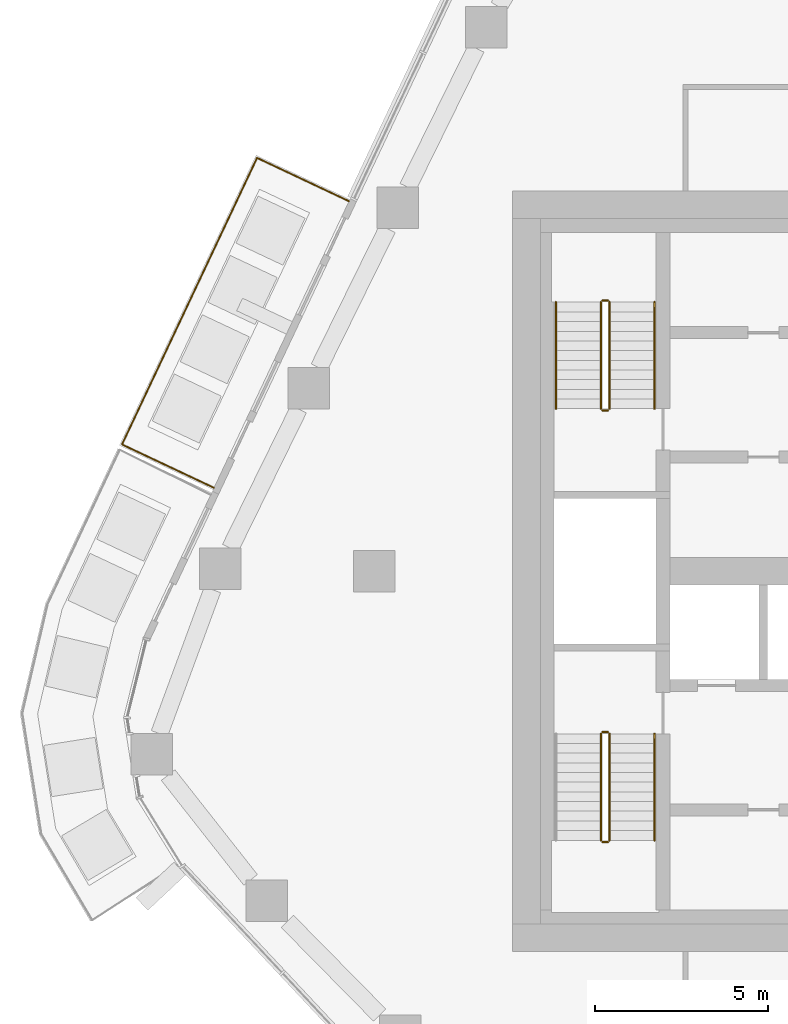
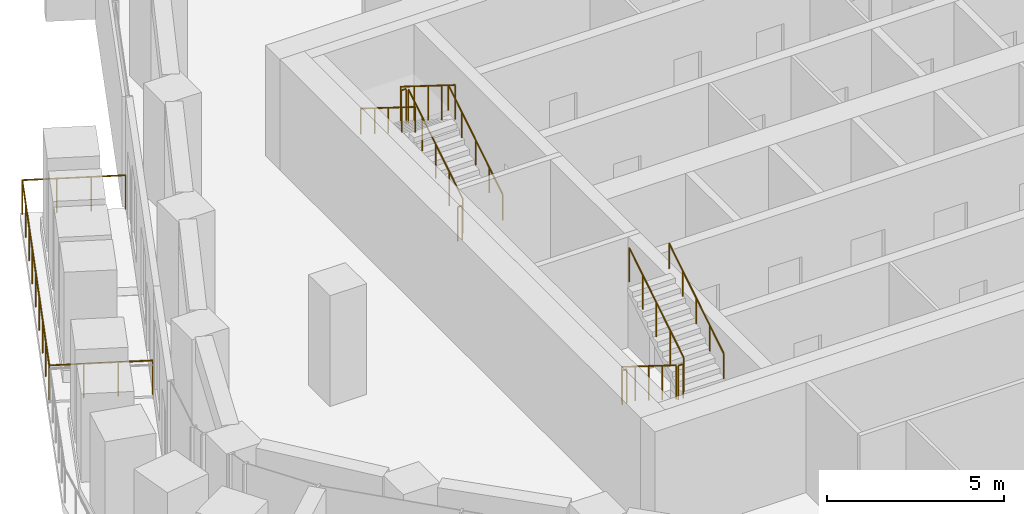
# One storey, part 16 of 18: 12 railings.
"""IFC4 building model written with IfcOpenShell, lengths in metres."""

from ifc_helpers import new_model, si_unit, direction, frame, origin, origin_2d, place, context, subcontext, project, spatial, circle, extrude, material, type_object, element, save


model = new_model("IFC4")

# Units and contexts
model_context = context("Model", 3, precision=1e-05, world=origin(), true_north=direction((0.0, 1.0)))
body_context = subcontext(model_context, "Body", "Model", "MODEL_VIEW")
ifc_project = project(units=[si_unit("LENGTHUNIT", "METRE"), si_unit("AREAUNIT", "SQUARE_METRE"), si_unit("VOLUMEUNIT", "CUBIC_METRE"), si_unit("PLANEANGLEUNIT", "RADIAN"), si_unit("MASSUNIT", "GRAM", prefix="KILO")], contexts=[model_context])

# Site, building, storey
site_placement = place(None, origin())
site = spatial("IfcSite", under=ifc_project, at=site_placement, CompositionType="ELEMENT")
building_placement = place(site_placement, origin())
building = spatial("IfcBuilding", under=site, at=building_placement, Name="Dongbaek Canopy Tower", CompositionType="ELEMENT")
storey_placement = place(building_placement, frame((0.0, 0.0, 158.60009765625)))
storey = spatial("IfcBuildingStorey", under=building, at=storey_placement, Name="L34", CompositionType="ELEMENT", Elevation=158.60009765625)

# Railings
ifc_material_1 = material(Name="Stainless steel", Category="steel")
railing_type_1 = type_object("IfcRailingType", Name="Balcony balustrade 1200", PredefinedType="BALUSTRADE", material=ifc_material_1)
railing_1_placement = place(storey_placement, frame((-18.732666015625, 10.700439453125, 0.0)))
element("IfcRailing", 1, at=railing_1_placement, inside=storey, type_object=railing_type_1, Name="Balcony guard L34 1", PredefinedType="BALUSTRADE", context=body_context, shape_type="SweptSolid", body=[
    extrude(circle(Radius=0.02392578125, at=origin_2d()), frame((0.0, 0.0, 1.17578125), z_axis=(-0.90463040543, 0.426196937544, 0.0), x_axis=(-0.426196937544, -0.90463040543, 0.0)), (0.0, 0.0, 1.0), 2.939697265625),
    extrude(circle(Radius=0.02392578125, at=origin_2d()), frame((-2.659423828125, 1.2529296875, 1.17578125), z_axis=(-0.426229519142, -0.904615054602, 0.0), x_axis=(0.904615054602, -0.426229519142, 0.0)), (0.0, 0.0, 1.0), 9.16064453125),
    extrude(circle(Radius=0.02392578125, at=origin_2d()), frame((-6.56396484375, -7.033935546875, 1.17578125), z_axis=(0.904613472743, -0.426232876408, 0.0), x_axis=(0.426232876408, 0.904613472743, 0.0)), (0.0, 0.0, 1.0), 2.940185546875),
    extrude(circle(Radius=0.02099609375, at=origin_2d()), origin(), (0.0, 0.0, 1.0), 1.15185546875),
    extrude(circle(Radius=0.02099609375, at=origin_2d()), frame((-0.886474609375, 0.417724609375, 0.0)), (0.0, 0.0, 1.0), 1.15185546875),
    extrude(circle(Radius=0.02099609375, at=origin_2d()), frame((-1.77294921875, 0.835205078125, 0.0)), (0.0, 0.0, 1.0), 1.15185546875),
    extrude(circle(Radius=0.02099609375, at=origin_2d()), frame((-2.659423828125, 1.2529296875, 0.0)), (0.0, 0.0, 1.0), 1.15185546875),
    extrude(circle(Radius=0.02099609375, at=origin_2d()), frame((-3.1474609375, 0.217041015625, 0.0)), (0.0, 0.0, 1.0), 1.15185546875),
    extrude(circle(Radius=0.02099609375, at=origin_2d()), frame((-3.635498046875, -0.81884765625, 0.0)), (0.0, 0.0, 1.0), 1.15185546875),
    extrude(circle(Radius=0.02099609375, at=origin_2d()), frame((-4.12353515625, -1.854736328125, 0.0)), (0.0, 0.0, 1.0), 1.15185546875),
    extrude(circle(Radius=0.02099609375, at=origin_2d()), frame((-4.61181640625, -2.890625, 0.0)), (0.0, 0.0, 1.0), 1.15185546875),
    extrude(circle(Radius=0.02099609375, at=origin_2d()), frame((-5.099853515625, -3.92626953125, 0.0)), (0.0, 0.0, 1.0), 1.15185546875),
    extrude(circle(Radius=0.02099609375, at=origin_2d()), frame((-5.587890625, -4.962158203125, 0.0)), (0.0, 0.0, 1.0), 1.15185546875),
    extrude(circle(Radius=0.02099609375, at=origin_2d()), frame((-6.075927734375, -5.998046875, 0.0)), (0.0, 0.0, 1.0), 1.15185546875),
    extrude(circle(Radius=0.02099609375, at=origin_2d()), frame((-6.56396484375, -7.033935546875, 0.0)), (0.0, 0.0, 1.0), 1.15185546875),
    extrude(circle(Radius=0.02099609375, at=origin_2d()), frame((-5.677490234375, -7.45166015625, 0.0)), (0.0, 0.0, 1.0), 1.15185546875),
    extrude(circle(Radius=0.02099609375, at=origin_2d()), frame((-4.790771484375, -7.869384765625, 0.0)), (0.0, 0.0, 1.0), 1.15185546875),
    extrude(circle(Radius=0.02099609375, at=origin_2d()), frame((-3.904296875, -8.287109375, 0.0)), (0.0, 0.0, 1.0), 1.15185546875),
])
ifc_material_2 = material(Name="Stainless steel tube and balusters", Category="steel")
railing_type_2 = type_object("IfcRailingType", Name="Stair guard 1200", PredefinedType="GUARDRAIL", material=ifc_material_2)
railing_2_placement = place(storey_placement, frame((-11.199951171875, 4.699951171875, 0.1748046875)))
element("IfcRailing", 2, at=railing_2_placement, inside=storey, type_object=railing_type_2, Name="L34 ST-C stair guard 1", PredefinedType="GUARDRAIL", context=body_context, shape_type="SweptSolid", body=[
    extrude(circle(Radius=0.02392578125, at=origin_2d()), frame((0.0, 0.0, 1.17578125), z_axis=(0.0, 0.847998304005, 0.529998940003), x_axis=(-1.0, 0.0, 0.0)), (0.0, 0.0, 1.0), 3.632080078125),
    extrude(circle(Radius=0.02099609375, at=origin_2d()), origin(), (0.0, 0.0, 1.0), 1.15185546875),
    extrude(circle(Radius=0.02099609375, at=origin_2d()), frame((0.0, 0.77001953125, 0.481201171875)), (0.0, 0.0, 1.0), 1.15185546875),
    extrude(circle(Radius=0.02099609375, at=origin_2d()), frame((0.0, 1.5400390625, 0.96240234375)), (0.0, 0.0, 1.0), 1.15185546875),
    extrude(circle(Radius=0.02099609375, at=origin_2d()), frame((0.0, 2.31005859375, 1.44384765625)), (0.0, 0.0, 1.0), 1.15185546875),
    extrude(circle(Radius=0.02099609375, at=origin_2d()), frame((0.0, 3.080078125, 1.925048828125)), (0.0, 0.0, 1.0), 1.15185546875),
])
railing_3_placement = place(storey_placement, frame((-11.25, 7.830078125, 2.099853515625)))
element("IfcRailing", 3, at=railing_3_placement, inside=storey, type_object=railing_type_2, Name="L34 ST-C stair guard 2", PredefinedType="GUARDRAIL", context=body_context, shape_type="SweptSolid", body=[
    extrude(circle(Radius=0.02392578125, at=origin_2d()), frame((0.0, 0.0, 1.17578125), z_axis=(-1.0, 0.0, 0.0), x_axis=(0.0, -1.0, 0.0)), (0.0, 0.0, 1.0), 0.14990234375),
    extrude(circle(Radius=0.02099609375, at=origin_2d()), origin(), (0.0, 0.0, 1.0), 1.15185546875),
    extrude(circle(Radius=0.02099609375, at=origin_2d()), frame((-0.14990234375, 0.0, 0.0)), (0.0, 0.0, 1.0), 1.15185546875),
])
railing_4_placement = place(storey_placement, frame((-11.449951171875, 7.780029296875, 2.27490234375)))
element("IfcRailing", 4, at=railing_4_placement, inside=storey, type_object=railing_type_2, Name="L34 ST-C stair guard 3", PredefinedType="GUARDRAIL", context=body_context, shape_type="SweptSolid", body=[
    extrude(circle(Radius=0.02392578125, at=origin_2d()), frame((0.0, 0.0, 1.17578125), z_axis=(0.0, -0.847998304005, 0.529998940003), x_axis=(1.0, 0.0, 0.0)), (0.0, 0.0, 1.0), 3.632080078125),
    extrude(circle(Radius=0.02099609375, at=origin_2d()), origin(), (0.0, 0.0, 1.0), 1.15185546875),
    extrude(circle(Radius=0.02099609375, at=origin_2d()), frame((0.0, -0.77001953125, 0.481201171875)), (0.0, 0.0, 1.0), 1.15185546875),
    extrude(circle(Radius=0.02099609375, at=origin_2d()), frame((0.0, -1.5400390625, 0.96240234375)), (0.0, 0.0, 1.0), 1.15185546875),
    extrude(circle(Radius=0.02099609375, at=origin_2d()), frame((0.0, -2.31005859375, 1.44384765625)), (0.0, 0.0, 1.0), 1.15185546875),
    extrude(circle(Radius=0.02099609375, at=origin_2d()), frame((0.0, -3.080078125, 1.925048828125)), (0.0, 0.0, 1.0), 1.15185546875),
])
railing_5_placement = place(storey_placement, frame((-11.25, 4.64990234375, 0.0)))
element("IfcRailing", 5, at=railing_5_placement, inside=storey, type_object=railing_type_2, Name="L34 ST-C stair guard 4", PredefinedType="GUARDRAIL", context=body_context, shape_type="SweptSolid", body=[
    extrude(circle(Radius=0.02392578125, at=origin_2d()), frame((0.0, 0.0, 1.17578125), z_axis=(-1.0, 0.0, 0.0), x_axis=(0.0, -1.0, 0.0)), (0.0, 0.0, 1.0), 0.14990234375),
    extrude(circle(Radius=0.02099609375, at=origin_2d()), origin(), (0.0, 0.0, 1.0), 1.15185546875),
    extrude(circle(Radius=0.02099609375, at=origin_2d()), frame((-0.14990234375, 0.0, 0.0)), (0.0, 0.0, 1.0), 1.15185546875),
])
railing_6_placement = place(storey_placement, frame((-11.449951171875, -4.699951171875, 0.1748046875)))
element("IfcRailing", 6, at=railing_6_placement, inside=storey, type_object=railing_type_2, Name="L34 ST-D stair guard 1", PredefinedType="GUARDRAIL", context=body_context, shape_type="SweptSolid", body=[
    extrude(circle(Radius=0.02392578125, at=origin_2d()), frame((0.0, 0.0, 1.17578125), z_axis=(0.0, -0.847998304005, 0.529998940003), x_axis=(1.0, 0.0, 0.0)), (0.0, 0.0, 1.0), 3.632080078125),
    extrude(circle(Radius=0.02099609375, at=origin_2d()), origin(), (0.0, 0.0, 1.0), 1.15185546875),
    extrude(circle(Radius=0.02099609375, at=origin_2d()), frame((0.0, -0.77001953125, 0.481201171875)), (0.0, 0.0, 1.0), 1.15185546875),
    extrude(circle(Radius=0.02099609375, at=origin_2d()), frame((0.0, -1.5400390625, 0.96240234375)), (0.0, 0.0, 1.0), 1.15185546875),
    extrude(circle(Radius=0.02099609375, at=origin_2d()), frame((0.0, -2.31005859375, 1.44384765625)), (0.0, 0.0, 1.0), 1.15185546875),
    extrude(circle(Radius=0.02099609375, at=origin_2d()), frame((0.0, -3.080078125, 1.925048828125)), (0.0, 0.0, 1.0), 1.15185546875),
])
railing_7_placement = place(storey_placement, frame((-11.39990234375, -7.830078125, 2.099853515625)))
element("IfcRailing", 7, at=railing_7_placement, inside=storey, type_object=railing_type_2, Name="L34 ST-D stair guard 2", PredefinedType="GUARDRAIL", context=body_context, shape_type="SweptSolid", body=[
    extrude(circle(Radius=0.02392578125, at=origin_2d()), frame((0.0, 0.0, 1.17578125), z_axis=(1.0, 0.0, 0.0), x_axis=(0.0, 1.0, 0.0)), (0.0, 0.0, 1.0), 0.14990234375),
    extrude(circle(Radius=0.02099609375, at=origin_2d()), origin(), (0.0, 0.0, 1.0), 1.15185546875),
    extrude(circle(Radius=0.02099609375, at=origin_2d()), frame((0.14990234375, 0.0, 0.0)), (0.0, 0.0, 1.0), 1.15185546875),
])
railing_8_placement = place(storey_placement, frame((-11.199951171875, -7.780029296875, 2.27490234375)))
element("IfcRailing", 8, at=railing_8_placement, inside=storey, type_object=railing_type_2, Name="L34 ST-D stair guard 3", PredefinedType="GUARDRAIL", context=body_context, shape_type="SweptSolid", body=[
    extrude(circle(Radius=0.02392578125, at=origin_2d()), frame((0.0, 0.0, 1.17578125), z_axis=(0.0, 0.847998304005, 0.529998940003), x_axis=(-1.0, 0.0, 0.0)), (0.0, 0.0, 1.0), 3.632080078125),
    extrude(circle(Radius=0.02099609375, at=origin_2d()), origin(), (0.0, 0.0, 1.0), 1.15185546875),
    extrude(circle(Radius=0.02099609375, at=origin_2d()), frame((0.0, 0.77001953125, 0.481201171875)), (0.0, 0.0, 1.0), 1.15185546875),
    extrude(circle(Radius=0.02099609375, at=origin_2d()), frame((0.0, 1.5400390625, 0.96240234375)), (0.0, 0.0, 1.0), 1.15185546875),
    extrude(circle(Radius=0.02099609375, at=origin_2d()), frame((0.0, 2.31005859375, 1.44384765625)), (0.0, 0.0, 1.0), 1.15185546875),
    extrude(circle(Radius=0.02099609375, at=origin_2d()), frame((0.0, 3.080078125, 1.925048828125)), (0.0, 0.0, 1.0), 1.15185546875),
])
railing_9_placement = place(storey_placement, frame((-11.39990234375, -4.64990234375, 0.0)))
element("IfcRailing", 9, at=railing_9_placement, inside=storey, type_object=railing_type_2, Name="L34 ST-D stair guard 4", PredefinedType="GUARDRAIL", context=body_context, shape_type="SweptSolid", body=[
    extrude(circle(Radius=0.02392578125, at=origin_2d()), frame((0.0, 0.0, 1.17578125), z_axis=(1.0, 0.0, 0.0), x_axis=(0.0, 1.0, 0.0)), (0.0, 0.0, 1.0), 0.14990234375),
    extrude(circle(Radius=0.02099609375, at=origin_2d()), origin(), (0.0, 0.0, 1.0), 1.15185546875),
    extrude(circle(Radius=0.02099609375, at=origin_2d()), frame((0.14990234375, 0.0, 0.0)), (0.0, 0.0, 1.0), 1.15185546875),
])
ifc_material_3 = material(Name="Stainless steel tube", Category="steel")
railing_type_3 = type_object("IfcRailingType", Name="Stair handrail 900", PredefinedType="HANDRAIL", material=ifc_material_3)
railing_10_placement = place(storey_placement, frame((-9.89990234375, 4.699951171875, 0.1748046875)))
element("IfcRailing", 10, at=railing_10_placement, inside=storey, type_object=railing_type_3, Name="L34 ST-C stair handrail 1", PredefinedType="HANDRAIL", context=body_context, shape_type="SweptSolid", body=[
    extrude(circle(Radius=0.02392578125, at=origin_2d()), frame((0.0, 0.0, 0.8759765625), z_axis=(0.0, 0.847998304005, 0.529998940003), x_axis=(-1.0, 0.0, 0.0)), (0.0, 0.0, 1.0), 3.632080078125),
    extrude(circle(Radius=0.02099609375, at=origin_2d()), origin(), (0.0, 0.0, 1.0), 0.851806640625),
    extrude(circle(Radius=0.02099609375, at=origin_2d()), frame((0.0, 0.77001953125, 0.481201171875)), (0.0, 0.0, 1.0), 0.851806640625),
    extrude(circle(Radius=0.02099609375, at=origin_2d()), frame((0.0, 1.5400390625, 0.96240234375)), (0.0, 0.0, 1.0), 0.851806640625),
    extrude(circle(Radius=0.02099609375, at=origin_2d()), frame((0.0, 2.31005859375, 1.44384765625)), (0.0, 0.0, 1.0), 0.851806640625),
    extrude(circle(Radius=0.02099609375, at=origin_2d()), frame((0.0, 3.080078125, 1.925048828125)), (0.0, 0.0, 1.0), 0.851806640625),
])
railing_11_placement = place(storey_placement, frame((-12.75, 7.780029296875, 2.27490234375)))
element("IfcRailing", 11, at=railing_11_placement, inside=storey, type_object=railing_type_3, Name="L34 ST-C stair handrail 2", PredefinedType="HANDRAIL", context=body_context, shape_type="SweptSolid", body=[
    extrude(circle(Radius=0.02392578125, at=origin_2d()), frame((0.0, 0.0, 0.8759765625), z_axis=(0.0, -0.847998304005, 0.529998940003), x_axis=(1.0, 0.0, 0.0)), (0.0, 0.0, 1.0), 3.632080078125),
    extrude(circle(Radius=0.02099609375, at=origin_2d()), origin(), (0.0, 0.0, 1.0), 0.851806640625),
    extrude(circle(Radius=0.02099609375, at=origin_2d()), frame((0.0, -0.77001953125, 0.481201171875)), (0.0, 0.0, 1.0), 0.851806640625),
    extrude(circle(Radius=0.02099609375, at=origin_2d()), frame((0.0, -1.5400390625, 0.96240234375)), (0.0, 0.0, 1.0), 0.851806640625),
    extrude(circle(Radius=0.02099609375, at=origin_2d()), frame((0.0, -2.31005859375, 1.44384765625)), (0.0, 0.0, 1.0), 0.851806640625),
    extrude(circle(Radius=0.02099609375, at=origin_2d()), frame((0.0, -3.080078125, 1.925048828125)), (0.0, 0.0, 1.0), 0.851806640625),
])
railing_12_placement = place(storey_placement, frame((-9.89990234375, -7.780029296875, 2.27490234375)))
element("IfcRailing", 12, at=railing_12_placement, inside=storey, type_object=railing_type_3, Name="L34 ST-D stair handrail 2", PredefinedType="HANDRAIL", context=body_context, shape_type="SweptSolid", body=[
    extrude(circle(Radius=0.02392578125, at=origin_2d()), frame((0.0, 0.0, 0.8759765625), z_axis=(0.0, 0.847998304005, 0.529998940003), x_axis=(-1.0, 0.0, 0.0)), (0.0, 0.0, 1.0), 3.632080078125),
    extrude(circle(Radius=0.02099609375, at=origin_2d()), origin(), (0.0, 0.0, 1.0), 0.851806640625),
    extrude(circle(Radius=0.02099609375, at=origin_2d()), frame((0.0, 0.77001953125, 0.481201171875)), (0.0, 0.0, 1.0), 0.851806640625),
    extrude(circle(Radius=0.02099609375, at=origin_2d()), frame((0.0, 1.5400390625, 0.96240234375)), (0.0, 0.0, 1.0), 0.851806640625),
    extrude(circle(Radius=0.02099609375, at=origin_2d()), frame((0.0, 2.31005859375, 1.44384765625)), (0.0, 0.0, 1.0), 0.851806640625),
    extrude(circle(Radius=0.02099609375, at=origin_2d()), frame((0.0, 3.080078125, 1.925048828125)), (0.0, 0.0, 1.0), 0.851806640625),
])

save(model, "model.ifc")
